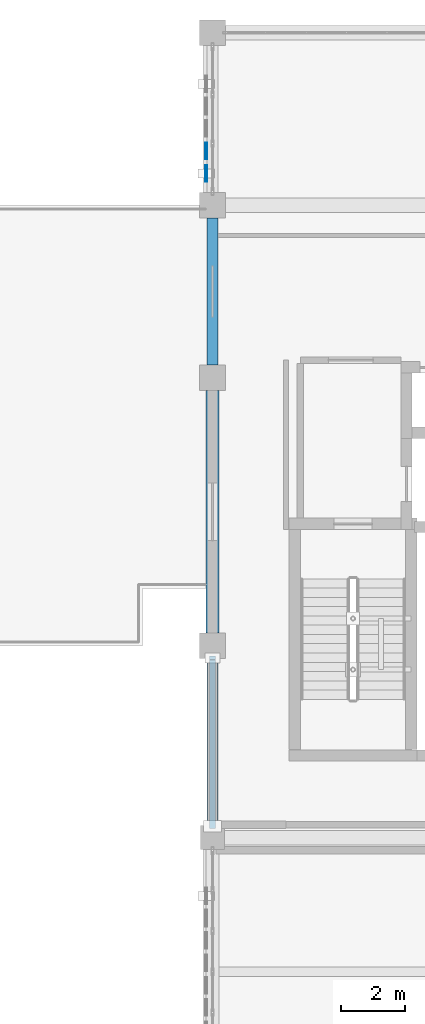
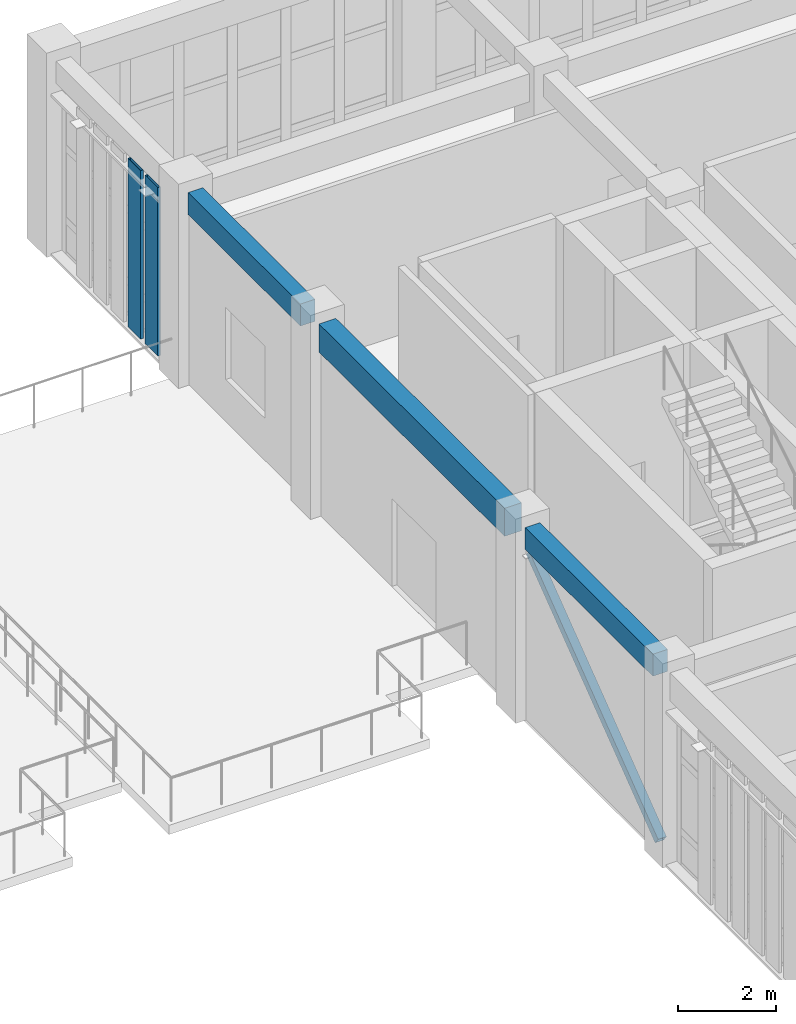
# One storey, part 41 of 93: 3 beams, 3 members.
"""IFC4 building model written with IfcOpenShell, lengths in metres."""

from ifc_helpers import new_model, si_unit, direction, frame, origin, origin_2d, place, context, subcontext, project, spatial, rectangle, hollow_rectangle, extrude, material, material_profile, profile_set, type_object, element, save


model = new_model("IFC4")

# Units and contexts
model_context = context("Model", 3, precision=1e-05, world=origin(), true_north=direction((0.0, 1.0)))
body_context = subcontext(model_context, "Body", "Model", "MODEL_VIEW")
ifc_project = project(units=[si_unit("LENGTHUNIT", "METRE"), si_unit("AREAUNIT", "SQUARE_METRE"), si_unit("VOLUMEUNIT", "CUBIC_METRE"), si_unit("PLANEANGLEUNIT", "RADIAN"), si_unit("MASSUNIT", "GRAM", prefix="KILO")], contexts=[model_context])

# Site, building, storey
site_placement = place(None, origin())
site = spatial("IfcSite", under=ifc_project, at=site_placement, CompositionType="ELEMENT")
building_placement = place(site_placement, origin())
building = spatial("IfcBuilding", under=site, at=building_placement, Name="Krzemoval Escarpment Law Courts", CompositionType="ELEMENT")
storey_placement = place(building_placement, frame((0.0, 0.0, 10.199951171875)))
storey = spatial("IfcBuildingStorey", under=building, at=storey_placement, Name="L02", CompositionType="ELEMENT", Elevation=10.199951171875)

# Beams
ifc_material_1 = material(Name="Concrete C40/50", Category="concrete")
ifc_material_profile_1 = material_profile(ifc_material_1, rectangle(XDim=0.35009765625, YDim=0.550048828125, at=origin_2d()), Name="RCB 350x550")
ifc_profile_set_1 = profile_set([ifc_material_profile_1], Name="Concrete C40/50")
beam_type_1 = type_object("IfcBeamType", Name="BM-RC-350x550", PredefinedType="BEAM", material=ifc_profile_set_1)
beam_1_placement = place(storey_placement, frame((126.0, 93.97509765625, 4.545166015625), z_axis=(0.0, 1.0, 0.0), x_axis=(-1.0, 0.0, 0.0)))
element("IfcBeam", 1, at=beam_1_placement, inside=storey, type_object=beam_type_1, Name="Beam FG-L02-1962", PredefinedType="BEAM", context=body_context, shape_type="SweptSolid", body=[
    extrude(rectangle(XDim=0.35009765625, YDim=0.550048828125, at=origin_2d()), origin(), (0.0, 0.0, 1.0), 5.224853515625),
])
beam_2_placement = place(storey_placement, frame((126.0, 108.39990234375, 4.545166015625), z_axis=(0.0, 1.0, 0.0), x_axis=(-1.0, 0.0, 0.0)))
element("IfcBeam", 2, at=beam_2_placement, inside=storey, type_object=beam_type_1, Name="Beam FG-L02-1964", PredefinedType="BEAM", context=body_context, shape_type="SweptSolid", body=[
    extrude(rectangle(XDim=0.35009765625, YDim=0.550048828125, at=origin_2d()), origin(), (0.0, 0.0, 1.0), 4.60009765625),
])
ifc_material_2 = material(Name="Concrete C40/50", Category="concrete")
ifc_material_profile_2 = material_profile(ifc_material_2, rectangle(XDim=0.39990234375, YDim=0.699951171875, at=origin_2d()), Name="RCB 400x700")
ifc_profile_set_2 = profile_set([ifc_material_profile_2], Name="Concrete C40/50")
beam_type_2 = type_object("IfcBeamType", Name="BM-RC-400x700", PredefinedType="BEAM", material=ifc_profile_set_2)
beam_3_placement = place(storey_placement, frame((126.0, 100.0, 4.469970703125), z_axis=(0.0, 1.0, 0.0), x_axis=(-1.0, 0.0, 0.0)))
element("IfcBeam", 3, at=beam_3_placement, inside=storey, type_object=beam_type_2, Name="Beam FG-L02-1963", PredefinedType="BEAM", context=body_context, shape_type="SweptSolid", body=[
    extrude(rectangle(XDim=0.39990234375, YDim=0.699951171875, at=origin_2d()), origin(), (0.0, 0.0, 1.0), 7.60009765625),
])

# Members
ifc_material_3 = material(Name="Anodised Aluminium Alloy 6063-T6", Category="aluminium")
ifc_material_profile_3 = material_profile(ifc_material_3, hollow_rectangle(XDim=0.06494140625, YDim=0.52001953125, WallThickness=0.00439453125, at=origin_2d()), Name="ALU LVR 65x520")
ifc_profile_set_3 = profile_set([ifc_material_profile_3], Name="Anodised Aluminium Alloy 6063-T6")
member_type_1 = type_object("IfcMemberType", Name="LVR-ALU-520", PredefinedType="USERDEFINED", material=ifc_profile_set_3)
for number, where, z_axis, x_axis, name in (
    (4, (125.800048828125, 114.39990234375, 0.06005859375), (0.0, 0.0, 1.0), (1.0, 0.0, 0.0), "Sunshade Louvre Fin FLV-L02-0601"),
    (5, (125.800048828125, 115.10009765625, 0.06005859375), (0.0, 0.0, 1.0), (1.0, 0.0, 0.0), "Sunshade Louvre Fin FLV-L02-0602"),
):
    element("IfcMember", number, at=place(storey_placement, frame(where, z_axis=z_axis, x_axis=x_axis)), inside=storey, type_object=member_type_1, Name=name, ObjectType="SUNSHADE_LOUVRE", PredefinedType="USERDEFINED", context=body_context, shape_type="SweptSolid", body=[
        extrude(hollow_rectangle(XDim=0.06494140625, YDim=0.52001953125, WallThickness=0.00439453125, at=origin_2d()), origin(), (0.0, 0.0, 1.0), 4.2099609375),
    ])
ifc_material_4 = material(Name="Steel S355", Category="steel")
ifc_material_profile_4 = material_profile(ifc_material_4, hollow_rectangle(XDim=0.199951171875, YDim=0.199951171875, WallThickness=0.010009765625, at=origin_2d()), Name="SHS 200x200x10")
ifc_profile_set_4 = profile_set([ifc_material_profile_4], Name="Steel S355")
member_type_2 = type_object("IfcMemberType", Name="MBR-BRC-SHS200", PredefinedType="BRACE", material=ifc_profile_set_4)
member_placement = place(storey_placement, frame((126.0, 93.949951171875, 0.14013671875), z_axis=(0.0, 0.796824736215, 0.604210509471), x_axis=(-1.0, 0.0, 0.0)))
element("IfcMember", 6, at=member_placement, inside=storey, type_object=member_type_2, Name="Lateral Diagonal Brace BR-0247", PredefinedType="BRACE", context=body_context, shape_type="SweptSolid", body=[
    extrude(hollow_rectangle(XDim=0.199951171875, YDim=0.199951171875, WallThickness=0.010009765625, at=origin_2d()), origin(), (0.0, 0.0, 1.0), 6.6201171875),
])

save(model, "model.ifc")
